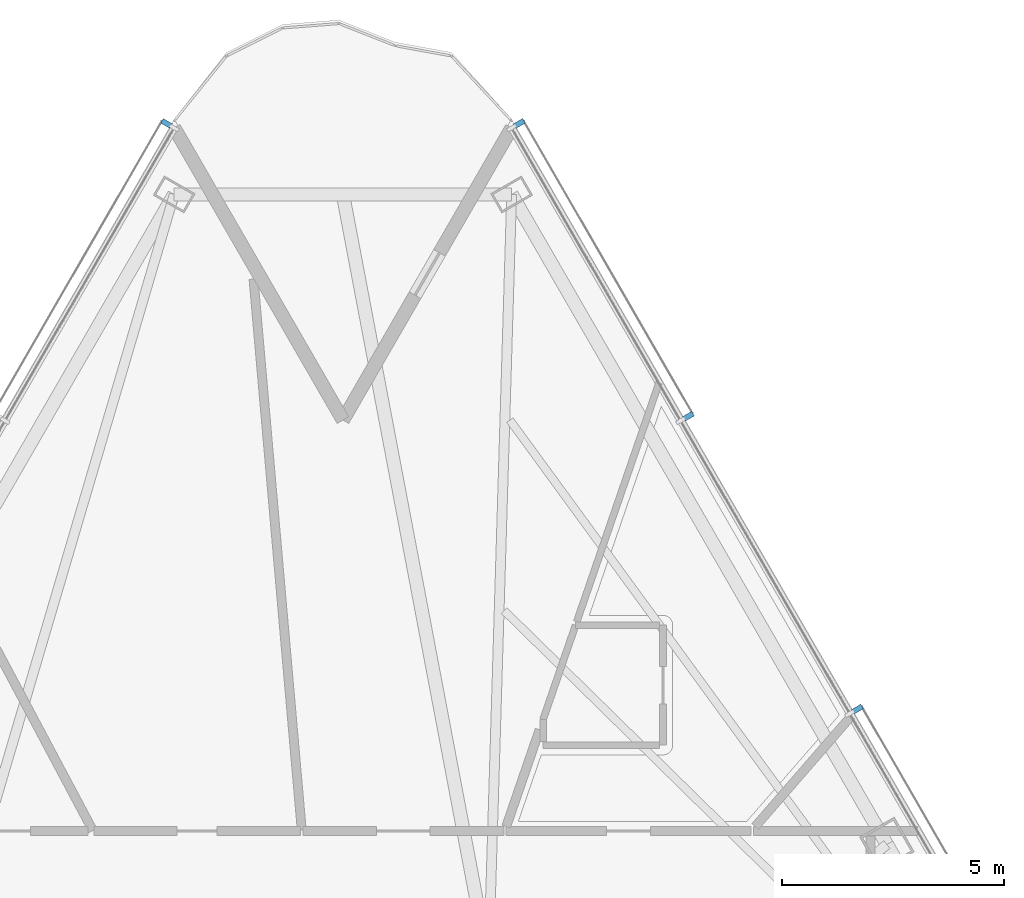
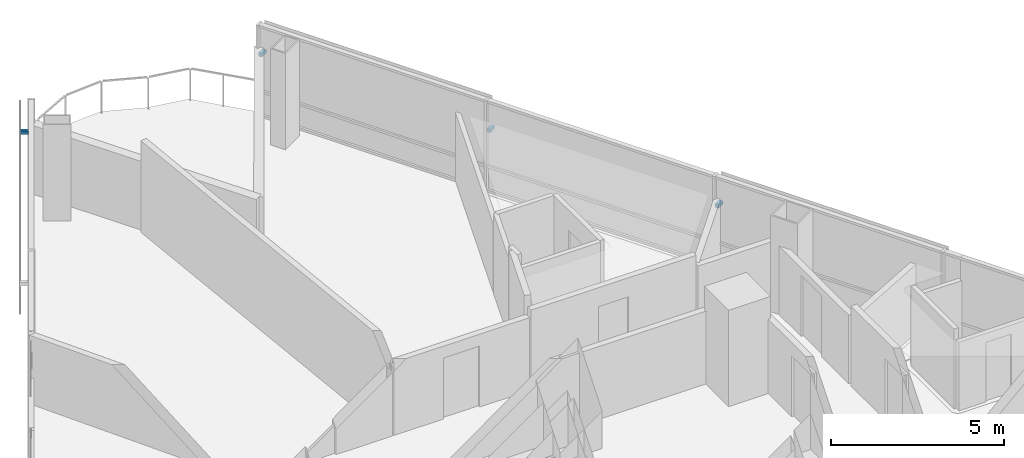
# One storey, part 13 of 18: 4 discrete accessories.
"""IFC4 building model written with IfcOpenShell, lengths in metres."""

from ifc_helpers import new_model, si_unit, direction, frame, origin, origin_2d, place, context, subcontext, project, spatial, rectangle, extrude, material, type_object, element, save


model = new_model("IFC4")

# Units and contexts
model_context = context("Model", 3, precision=1e-05, world=origin(), true_north=direction((0.0, 1.0)))
body_context = subcontext(model_context, "Body", "Model", "MODEL_VIEW")
ifc_project = project(units=[si_unit("LENGTHUNIT", "METRE"), si_unit("AREAUNIT", "SQUARE_METRE"), si_unit("VOLUMEUNIT", "CUBIC_METRE"), si_unit("PLANEANGLEUNIT", "RADIAN"), si_unit("MASSUNIT", "GRAM", prefix="KILO")], contexts=[model_context])

# Site, building, storey
site_placement = place(None, origin())
site = spatial("IfcSite", under=ifc_project, at=site_placement, CompositionType="ELEMENT")
building_placement = place(site_placement, origin())
building = spatial("IfcBuilding", under=site, at=building_placement, Name="Tharavind Bronze Gate", CompositionType="ELEMENT")
storey_placement = place(building_placement, frame((0.0, 0.0, 38.64990234375)))
storey = spatial("IfcBuildingStorey", under=building, at=storey_placement, Name="L08", CompositionType="ELEMENT", Elevation=38.64990234375)

# Discrete accessories
ifc_material = material(Name="Stainless Steel 316", Category="steel")
discrete_accessory_type = type_object("IfcDiscreteAccessoryType", Name="SOLAR SCREEN STANDOFF BRACKET", PredefinedType="BRACKET", material=ifc_material)
for number, where, z_axis, x_axis, name in (
    (1, (-3.97314453125, 26.518310546875, 2.00244140625), (0.0, 0.0, 1.0), (-0.500001511499, -0.866024531118, 0.0), "CW-L08-S1 solar screen bracket 1.1"),
    (2, (11.589111328125, 13.326904296875, 2.00244140625), (0.0, 0.0, 1.0), (-0.500001511499, 0.866024531118, 0.0), "CW-L08-S3 solar screen bracket 5.2"),
    (3, (7.78125, 19.922607421875, 2.00244140625), (0.0, 0.0, 1.0), (-0.500001511499, 0.866024531118, 0.0), "CW-L08-S3 solar screen bracket 7.1"),
    (4, (3.97314453125, 26.518310546875, 2.00244140625), (0.0, 0.0, 1.0), (-0.500001511499, 0.866024531118, 0.0), "CW-L08-S3 solar screen bracket 7.2"),
):
    element("IfcDiscreteAccessory", number, at=place(storey_placement, frame(where, z_axis=z_axis, x_axis=x_axis)), inside=storey, type_object=discrete_accessory_type, Name=name, PredefinedType="BRACKET", context=body_context, shape_type="SweptSolid", body=[
        extrude(rectangle(XDim=0.1201171875, YDim=0.239990234375, at=origin_2d()), origin(), (0.0, 0.0, 1.0), 0.1201171875),
    ])

save(model, "model.ifc")
